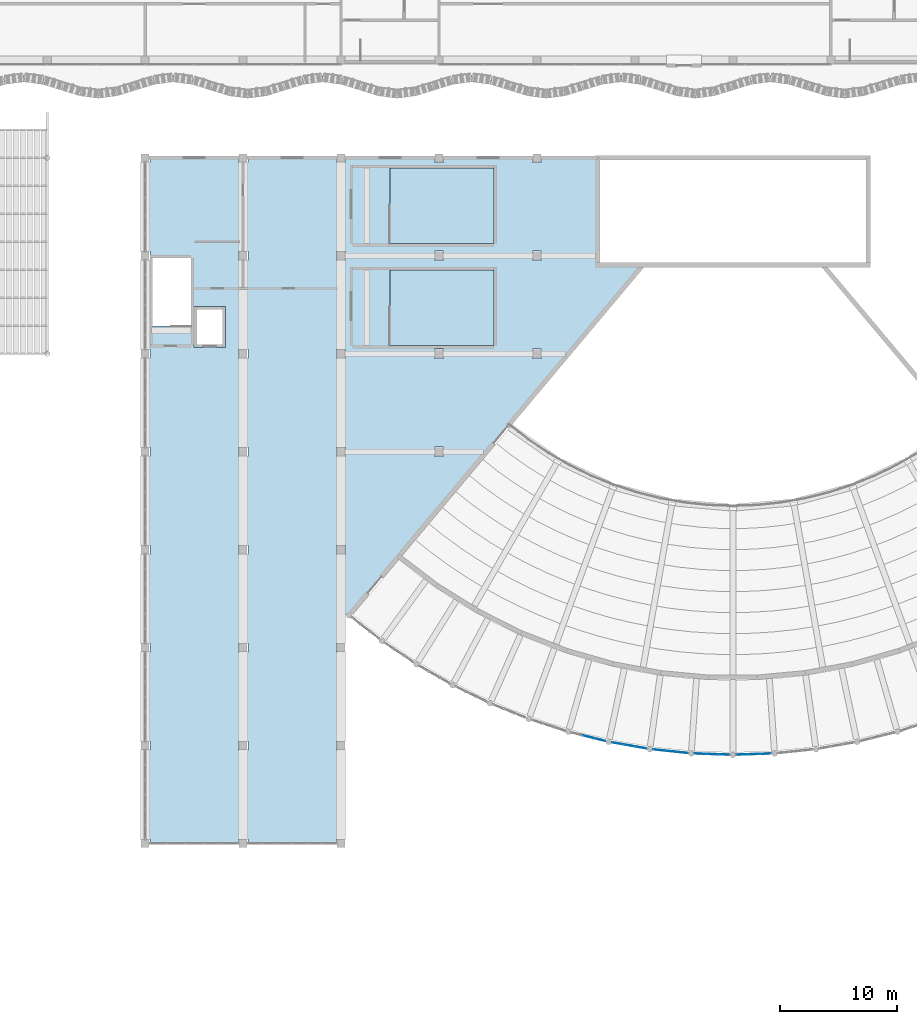
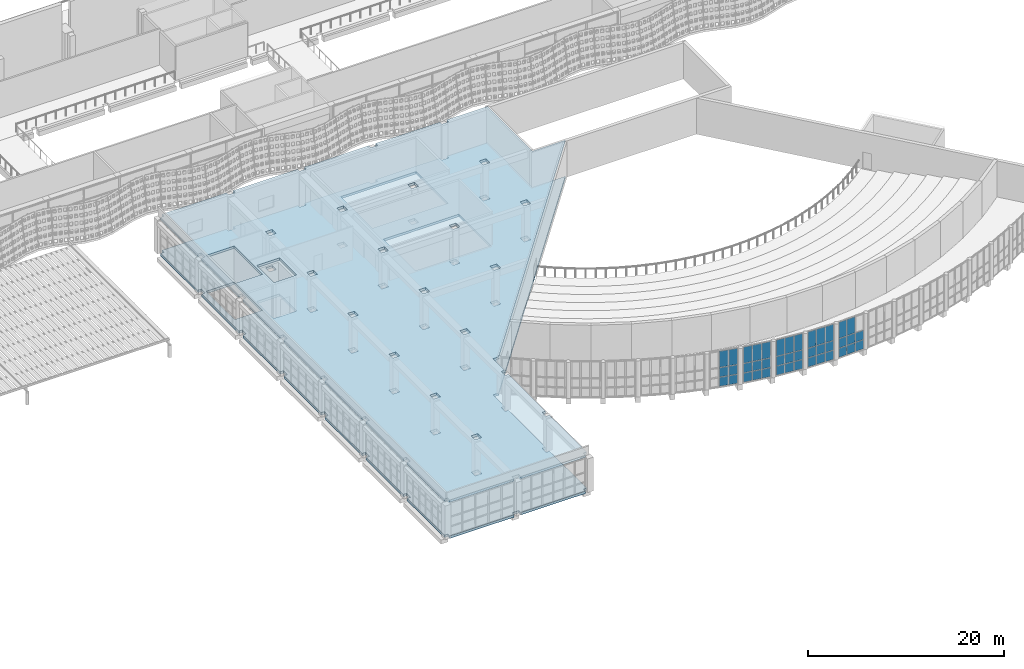
# One storey, part 70 of 162: 41 plates, 2 slabs, 5 elements without a shape of their own.
"""IFC4 building model written with IfcOpenShell, lengths in metres."""

from ifc_helpers import new_model, si_unit, direction, frame, origin, origin_2d, place, context, subcontext, project, spatial, polyline, rectangle, outline, extrude, material, layer, layer_set, type_object, element, aggregate, save


model = new_model("IFC4")

# Units and contexts
model_context = context("Model", 3, precision=1e-05, world=origin(), true_north=direction((0.0, 1.0)))
body_context = subcontext(model_context, "Body", "Model", "MODEL_VIEW")
ifc_project = project(units=[si_unit("LENGTHUNIT", "METRE"), si_unit("AREAUNIT", "SQUARE_METRE"), si_unit("VOLUMEUNIT", "CUBIC_METRE"), si_unit("PLANEANGLEUNIT", "RADIAN"), si_unit("MASSUNIT", "GRAM", prefix="KILO")], contexts=[model_context])

# Site, building, storey
site_placement = place(None, origin())
site = spatial("IfcSite", under=ifc_project, at=site_placement, CompositionType="ELEMENT")
building_placement = place(site_placement, origin())
building = spatial("IfcBuilding", under=site, at=building_placement, Name="Rain Tree Exposition and Congress Centre", CompositionType="ELEMENT")
storey_placement = place(building_placement, frame((0.0, 0.0, 6.0)))
storey = spatial("IfcBuildingStorey", under=building, at=storey_placement, Name="L01", CompositionType="ELEMENT", Elevation=6.0)

# Slab
ifc_material_1 = material(Name="Precast concrete C50/60", Category="concrete")
ifc_layer_1 = layer(ifc_material_1, 0.300048828125)
ifc_layer_set_1 = layer_set([ifc_layer_1], Name="Precast concrete C50/60")
slab_type_1 = type_object("IfcSlabType", Name="Foyer floor slab 300", PredefinedType="FLOOR", material=ifc_layer_set_1)
slab_1_placement = place(storey_placement, frame((0.0, 0.0, -0.300048828125)))
element("IfcSlab", 1, at=slab_1_placement, inside=storey, type_object=slab_type_1, Name="Foyer floor L01", PredefinedType="FLOOR", context=body_context, shape_type="SweptSolid", body=[
    extrude(outline(polyline([(160.0, 8.39990234375), (167.60009765625, 8.39990234375), (167.60009765625, 8.800048828125), (168.0, 8.800048828125), (168.0, 16.39990234375), (167.60009765625, 16.39990234375), (167.60009765625, 17.199951171875), (168.0, 17.199951171875), (168.0, 24.800048828125), (167.60009765625, 24.800048828125), (167.60009765625, 25.60009765625), (168.0, 25.60009765625), (168.0, 27.978515625), (168.689208984375, 27.978515625), (193.886474609375, 58.007568359375), (190.0, 58.010009765625), (190.0, 67.199951171875), (185.199951171875, 67.199951171875), (185.199951171875, 66.800048828125), (184.39990234375, 66.800048828125), (184.39990234375, 67.199951171875), (176.800048828125, 67.199951171875), (176.800048828125, 66.800048828125), (176.0, 66.800048828125), (176.0, 67.199951171875), (168.39990234375, 67.199951171875), (168.39990234375, 66.800048828125), (167.60009765625, 66.800048828125), (167.60009765625, 67.199951171875), (160.0, 67.199951171875), (160.0, 66.800048828125), (159.199951171875, 66.800048828125), (159.199951171875, 67.199951171875), (151.60009765625, 67.199951171875), (151.60009765625, 66.800048828125), (151.199951171875, 66.800048828125), (151.199951171875, 59.199951171875), (151.60009765625, 59.199951171875), (151.60009765625, 58.39990234375), (151.199951171875, 58.39990234375), (151.199951171875, 50.800048828125), (151.60009765625, 50.800048828125), (151.60009765625, 50.0), (151.199951171875, 50.0), (151.199951171875, 42.39990234375), (151.60009765625, 42.39990234375), (151.60009765625, 41.60009765625), (151.199951171875, 41.60009765625), (151.199951171875, 34.0), (151.60009765625, 34.0), (151.60009765625, 33.199951171875), (151.199951171875, 33.199951171875), (151.199951171875, 25.60009765625), (151.60009765625, 25.60009765625), (151.60009765625, 24.800048828125), (151.199951171875, 24.800048828125), (151.199951171875, 17.199951171875), (151.60009765625, 17.199951171875), (151.60009765625, 16.39990234375), (151.199951171875, 16.39990234375), (151.199951171875, 8.800048828125), (151.60009765625, 8.800048828125), (151.60009765625, 8.39990234375), (159.199951171875, 8.39990234375), (159.199951171875, 8.800048828125), (160.0, 8.800048828125), (160.0, 8.39990234375)]), holes=[polyline([(159.199951171875, 16.39990234375), (160.0, 16.39990234375), (160.0, 17.199951171875), (159.199951171875, 17.199951171875), (159.199951171875, 16.39990234375)]), polyline([(159.199951171875, 24.800048828125), (160.0, 24.800048828125), (160.0, 25.60009765625), (159.199951171875, 25.60009765625), (159.199951171875, 24.800048828125)]), polyline([(159.199951171875, 33.199951171875), (160.0, 33.199951171875), (160.0, 34.0), (159.199951171875, 34.0), (159.199951171875, 33.199951171875)]), polyline([(159.199951171875, 41.60009765625), (160.0, 41.60009765625), (160.0, 42.39990234375), (159.199951171875, 42.39990234375), (159.199951171875, 41.60009765625)]), polyline([(159.199951171875, 50.0), (160.0, 50.0), (160.0, 50.800048828125), (159.199951171875, 50.800048828125), (159.199951171875, 50.0)]), polyline([(155.39990234375, 54.449951171875), (155.39990234375, 50.949951171875), (158.10009765625, 50.949951171875), (158.10009765625, 54.449951171875), (155.39990234375, 54.449951171875)]), polyline([(151.85009765625, 58.60009765625), (151.85009765625, 52.800537109375), (155.14990234375, 52.800537109375), (155.14990234375, 58.60009765625), (151.85009765625, 58.60009765625)]), polyline([(159.199951171875, 59.199951171875), (159.199951171875, 58.39990234375), (160.0, 58.39990234375), (160.0, 59.199951171875), (159.199951171875, 59.199951171875)]), polyline([(167.60009765625, 33.199951171875), (168.39990234375, 33.199951171875), (168.39990234375, 34.0), (167.60009765625, 34.0), (167.60009765625, 33.199951171875)]), polyline([(167.60009765625, 41.60009765625), (168.39990234375, 41.60009765625), (168.39990234375, 42.39990234375), (167.60009765625, 42.39990234375), (167.60009765625, 41.60009765625)]), polyline([(176.0, 41.60009765625), (176.800048828125, 41.60009765625), (176.800048828125, 42.39990234375), (176.0, 42.39990234375), (176.0, 41.60009765625)]), polyline([(167.60009765625, 50.800048828125), (167.60009765625, 50.0), (168.39990234375, 50.0), (168.39990234375, 50.800048828125), (167.60009765625, 50.800048828125)]), polyline([(176.0, 50.800048828125), (176.0, 50.0), (176.800048828125, 50.0), (176.800048828125, 50.800048828125), (176.0, 50.800048828125)]), polyline([(184.39990234375, 50.0), (185.199951171875, 50.0), (185.199951171875, 50.800048828125), (184.39990234375, 50.800048828125), (184.39990234375, 50.0)]), polyline([(181.10009765625, 57.60009765625), (172.200439453125, 57.60009765625), (172.200439453125, 51.10009765625), (181.10009765625, 51.10009765625), (181.10009765625, 57.60009765625)]), polyline([(167.60009765625, 58.39990234375), (168.39990234375, 58.39990234375), (168.39990234375, 59.199951171875), (167.60009765625, 59.199951171875), (167.60009765625, 58.39990234375)]), polyline([(184.39990234375, 58.39990234375), (185.199951171875, 58.39990234375), (185.199951171875, 59.199951171875), (184.39990234375, 59.199951171875), (184.39990234375, 58.39990234375)]), polyline([(176.0, 58.39990234375), (176.800048828125, 58.39990234375), (176.800048828125, 59.199951171875), (176.0, 59.199951171875), (176.0, 58.39990234375)]), polyline([(181.10009765625, 66.35009765625), (172.200439453125, 66.35009765625), (172.200439453125, 59.85009765625), (181.10009765625, 59.85009765625), (181.10009765625, 66.35009765625)])]), origin(), (0.0, 0.0, 1.0), 0.300048828125),
])

# Curtain wall, plates
ifc_material_2 = material(Name="Aluminium", Category="aluminium")
ifc_layer_2 = layer(ifc_material_2, 0.10009765625)
ifc_layer_set_2 = layer_set([ifc_layer_2], Name="Aluminium")
curtain_wall_type = type_object("IfcCurtainWallType", Name="Curtain wall congress", PredefinedType="NOTDEFINED", material=ifc_layer_set_2)
curtain_wall_1_placement = place(storey_placement, origin())
curtain_wall_1 = element("IfcCurtainWall", 2, at=curtain_wall_1_placement, inside=storey, type_object=curtain_wall_type, Name="Curtain wall L01 bay 7", PredefinedType="NOTDEFINED")
ifc_material_3 = material(Name="Double glazed unit", Category="glass")
ifc_layer_3 = layer(ifc_material_3, 0.028076171875)
ifc_layer_set_3 = layer_set([ifc_layer_3], Name="Double glazed unit")
plate_type = type_object("IfcPlateType", Name="Glazing panel 28 congress", PredefinedType="CURTAIN_PANEL", material=ifc_layer_set_3)
plate_1_placement = place(storey_placement, frame((189.22119140625, 17.551025390625, 0.06005859375), z_axis=(0.0, 0.0, 1.0), x_axis=(0.970295408249, -0.241923171133, 0.0)))
plate_1 = element("IfcPlate", 3, at=plate_1_placement, type_object=plate_type, Name="CWG207 panel 2.1", PredefinedType="CURTAIN_PANEL", context=body_context, shape_type="SweptSolid", body=[
    extrude(rectangle(XDim=0.964599609375, YDim=0.028076171875, at=origin_2d()), origin(), (0.0, 0.0, 1.0), 1.110107421875),
])
plate_2_placement = place(storey_placement, frame((189.22119140625, 17.551025390625, 1.22998046875), z_axis=(0.0, 0.0, 1.0), x_axis=(0.970295408249, -0.241923171133, 0.0)))
plate_2 = element("IfcPlate", 4, at=plate_2_placement, type_object=plate_type, Name="CWG207 panel 2.2", PredefinedType="CURTAIN_PANEL", context=body_context, shape_type="SweptSolid", body=[
    extrude(rectangle(XDim=0.964599609375, YDim=0.028076171875, at=origin_2d()), origin(), (0.0, 0.0, 1.0), 1.139892578125),
])
plate_3_placement = place(storey_placement, frame((189.22119140625, 17.551025390625, 2.43017578125), z_axis=(0.0, 0.0, 1.0), x_axis=(0.970295408249, -0.241923171133, 0.0)))
plate_3 = element("IfcPlate", 5, at=plate_3_placement, type_object=plate_type, Name="CWG207 panel 2.3", PredefinedType="CURTAIN_PANEL", context=body_context, shape_type="SweptSolid", body=[
    extrude(rectangle(XDim=0.964599609375, YDim=0.028076171875, at=origin_2d()), origin(), (0.0, 0.0, 1.0), 2.010009765625),
])
plate_4_placement = place(storey_placement, frame((190.20068359375, 17.306884765625, 0.06005859375), z_axis=(0.0, 0.0, 1.0), x_axis=(0.970295408249, -0.241923171133, 0.0)))
plate_4 = element("IfcPlate", 6, at=plate_4_placement, type_object=plate_type, Name="CWG207 panel 3.1", PredefinedType="CURTAIN_PANEL", context=body_context, shape_type="SweptSolid", body=[
    extrude(rectangle(XDim=0.9345703125, YDim=0.028076171875, at=origin_2d()), origin(), (0.0, 0.0, 1.0), 1.110107421875),
])
plate_5_placement = place(storey_placement, frame((190.20068359375, 17.306884765625, 1.22998046875), z_axis=(0.0, 0.0, 1.0), x_axis=(0.970295408249, -0.241923171133, 0.0)))
plate_5 = element("IfcPlate", 7, at=plate_5_placement, type_object=plate_type, Name="CWG207 panel 3.2", PredefinedType="CURTAIN_PANEL", context=body_context, shape_type="SweptSolid", body=[
    extrude(rectangle(XDim=0.9345703125, YDim=0.028076171875, at=origin_2d()), origin(), (0.0, 0.0, 1.0), 1.139892578125),
])
plate_6_placement = place(storey_placement, frame((190.20068359375, 17.306884765625, 2.43017578125), z_axis=(0.0, 0.0, 1.0), x_axis=(0.970295408249, -0.241923171133, 0.0)))
plate_6 = element("IfcPlate", 8, at=plate_6_placement, type_object=plate_type, Name="CWG207 panel 3.3", PredefinedType="CURTAIN_PANEL", context=body_context, shape_type="SweptSolid", body=[
    extrude(rectangle(XDim=0.9345703125, YDim=0.028076171875, at=origin_2d()), origin(), (0.0, 0.0, 1.0), 2.010009765625),
])
aggregate(curtain_wall_1, [plate_1, plate_2, plate_3, plate_4, plate_5, plate_6])

curtain_wall_2_placement = place(storey_placement, origin())
curtain_wall_2 = element("IfcCurtainWall", 9, at=curtain_wall_2_placement, inside=storey, type_object=curtain_wall_type, Name="Curtain wall L01 bay 8", PredefinedType="NOTDEFINED")
plate_7_placement = place(storey_placement, frame((191.720458984375, 16.98388671875, 0.06005859375), z_axis=(0.0, 0.0, 1.0), x_axis=(0.984810076905, -0.173634997701, 0.0)))
plate_7 = element("IfcPlate", 10, at=plate_7_placement, type_object=plate_type, Name="CWG208 panel 1.1", PredefinedType="CURTAIN_PANEL", context=body_context, shape_type="SweptSolid", body=[
    extrude(rectangle(XDim=0.9345703125, YDim=0.028076171875, at=origin_2d()), origin(), (0.0, 0.0, 1.0), 1.110107421875),
])
plate_8_placement = place(storey_placement, frame((191.720458984375, 16.98388671875, 1.22998046875), z_axis=(0.0, 0.0, 1.0), x_axis=(0.984810076905, -0.173634997701, 0.0)))
plate_8 = element("IfcPlate", 11, at=plate_8_placement, type_object=plate_type, Name="CWG208 panel 1.2", PredefinedType="CURTAIN_PANEL", context=body_context, shape_type="SweptSolid", body=[
    extrude(rectangle(XDim=0.9345703125, YDim=0.028076171875, at=origin_2d()), origin(), (0.0, 0.0, 1.0), 1.139892578125),
])
plate_9_placement = place(storey_placement, frame((191.720458984375, 16.98388671875, 2.43017578125), z_axis=(0.0, 0.0, 1.0), x_axis=(0.984810076905, -0.173634997701, 0.0)))
plate_9 = element("IfcPlate", 12, at=plate_9_placement, type_object=plate_type, Name="CWG208 panel 1.3", PredefinedType="CURTAIN_PANEL", context=body_context, shape_type="SweptSolid", body=[
    extrude(rectangle(XDim=0.9345703125, YDim=0.028076171875, at=origin_2d()), origin(), (0.0, 0.0, 1.0), 2.010009765625),
])
plate_10_placement = place(storey_placement, frame((192.714599609375, 16.80859375, 0.06005859375), z_axis=(0.0, 0.0, 1.0), x_axis=(0.984810076905, -0.173634997701, 0.0)))
plate_10 = element("IfcPlate", 13, at=plate_10_placement, type_object=plate_type, Name="CWG208 panel 2.1", PredefinedType="CURTAIN_PANEL", context=body_context, shape_type="SweptSolid", body=[
    extrude(rectangle(XDim=0.964599609375, YDim=0.028076171875, at=origin_2d()), origin(), (0.0, 0.0, 1.0), 1.110107421875),
])
plate_11_placement = place(storey_placement, frame((192.714599609375, 16.80859375, 1.22998046875), z_axis=(0.0, 0.0, 1.0), x_axis=(0.984810076905, -0.173634997701, 0.0)))
plate_11 = element("IfcPlate", 14, at=plate_11_placement, type_object=plate_type, Name="CWG208 panel 2.2", PredefinedType="CURTAIN_PANEL", context=body_context, shape_type="SweptSolid", body=[
    extrude(rectangle(XDim=0.964599609375, YDim=0.028076171875, at=origin_2d()), origin(), (0.0, 0.0, 1.0), 1.139892578125),
])
plate_12_placement = place(storey_placement, frame((192.714599609375, 16.80859375, 2.43017578125), z_axis=(0.0, 0.0, 1.0), x_axis=(0.984810076905, -0.173634997701, 0.0)))
plate_12 = element("IfcPlate", 15, at=plate_12_placement, type_object=plate_type, Name="CWG208 panel 2.3", PredefinedType="CURTAIN_PANEL", context=body_context, shape_type="SweptSolid", body=[
    extrude(rectangle(XDim=0.964599609375, YDim=0.028076171875, at=origin_2d()), origin(), (0.0, 0.0, 1.0), 2.010009765625),
])
plate_13_placement = place(storey_placement, frame((193.708740234375, 16.63330078125, 0.06005859375), z_axis=(0.0, 0.0, 1.0), x_axis=(0.984810076905, -0.173634997701, 0.0)))
plate_13 = element("IfcPlate", 16, at=plate_13_placement, type_object=plate_type, Name="CWG208 panel 3.1", PredefinedType="CURTAIN_PANEL", context=body_context, shape_type="SweptSolid", body=[
    extrude(rectangle(XDim=0.9345703125, YDim=0.028076171875, at=origin_2d()), origin(), (0.0, 0.0, 1.0), 1.110107421875),
])
plate_14_placement = place(storey_placement, frame((193.708740234375, 16.63330078125, 1.22998046875), z_axis=(0.0, 0.0, 1.0), x_axis=(0.984810076905, -0.173634997701, 0.0)))
plate_14 = element("IfcPlate", 17, at=plate_14_placement, type_object=plate_type, Name="CWG208 panel 3.2", PredefinedType="CURTAIN_PANEL", context=body_context, shape_type="SweptSolid", body=[
    extrude(rectangle(XDim=0.9345703125, YDim=0.028076171875, at=origin_2d()), origin(), (0.0, 0.0, 1.0), 1.139892578125),
])
plate_15_placement = place(storey_placement, frame((193.708740234375, 16.63330078125, 2.43017578125), z_axis=(0.0, 0.0, 1.0), x_axis=(0.984810076905, -0.173634997701, 0.0)))
plate_15 = element("IfcPlate", 18, at=plate_15_placement, type_object=plate_type, Name="CWG208 panel 3.3", PredefinedType="CURTAIN_PANEL", context=body_context, shape_type="SweptSolid", body=[
    extrude(rectangle(XDim=0.9345703125, YDim=0.028076171875, at=origin_2d()), origin(), (0.0, 0.0, 1.0), 2.010009765625),
])
aggregate(curtain_wall_2, [plate_7, plate_8, plate_9, plate_10, plate_11, plate_12, plate_13, plate_14, plate_15])

curtain_wall_3_placement = place(storey_placement, origin())
curtain_wall_3 = element("IfcCurtainWall", 19, at=curtain_wall_3_placement, inside=storey, type_object=curtain_wall_type, Name="Curtain wall L01 bay 9", PredefinedType="NOTDEFINED")
plate_16_placement = place(storey_placement, frame((195.247314453125, 16.4169921875, 0.06005859375), z_axis=(0.0, 0.0, 1.0), x_axis=(0.994524689589, -0.104501874612, 0.0)))
plate_16 = element("IfcPlate", 20, at=plate_16_placement, type_object=plate_type, Name="CWG209 panel 1.1", PredefinedType="CURTAIN_PANEL", context=body_context, shape_type="SweptSolid", body=[
    extrude(rectangle(XDim=0.9345703125, YDim=0.028076171875, at=origin_2d()), origin(), (0.0, 0.0, 1.0), 1.110107421875),
])
plate_17_placement = place(storey_placement, frame((195.247314453125, 16.4169921875, 1.22998046875), z_axis=(0.0, 0.0, 1.0), x_axis=(0.994524689589, -0.104501874612, 0.0)))
plate_17 = element("IfcPlate", 21, at=plate_17_placement, type_object=plate_type, Name="CWG209 panel 1.2", PredefinedType="CURTAIN_PANEL", context=body_context, shape_type="SweptSolid", body=[
    extrude(rectangle(XDim=0.9345703125, YDim=0.028076171875, at=origin_2d()), origin(), (0.0, 0.0, 1.0), 1.139892578125),
])
plate_18_placement = place(storey_placement, frame((195.247314453125, 16.4169921875, 2.43017578125), z_axis=(0.0, 0.0, 1.0), x_axis=(0.994524689589, -0.104501874612, 0.0)))
plate_18 = element("IfcPlate", 22, at=plate_18_placement, type_object=plate_type, Name="CWG209 panel 1.3", PredefinedType="CURTAIN_PANEL", context=body_context, shape_type="SweptSolid", body=[
    extrude(rectangle(XDim=0.9345703125, YDim=0.028076171875, at=origin_2d()), origin(), (0.0, 0.0, 1.0), 2.010009765625),
])
plate_19_placement = place(storey_placement, frame((196.25146484375, 16.3115234375, 0.06005859375), z_axis=(0.0, 0.0, 1.0), x_axis=(0.994524689589, -0.104501874612, 0.0)))
plate_19 = element("IfcPlate", 23, at=plate_19_placement, type_object=plate_type, Name="CWG209 panel 2.1", PredefinedType="CURTAIN_PANEL", context=body_context, shape_type="SweptSolid", body=[
    extrude(rectangle(XDim=0.964599609375, YDim=0.028076171875, at=origin_2d()), origin(), (0.0, 0.0, 1.0), 1.110107421875),
])
plate_20_placement = place(storey_placement, frame((196.25146484375, 16.3115234375, 1.22998046875), z_axis=(0.0, 0.0, 1.0), x_axis=(0.994524689589, -0.104501874612, 0.0)))
plate_20 = element("IfcPlate", 24, at=plate_20_placement, type_object=plate_type, Name="CWG209 panel 2.2", PredefinedType="CURTAIN_PANEL", context=body_context, shape_type="SweptSolid", body=[
    extrude(rectangle(XDim=0.964599609375, YDim=0.028076171875, at=origin_2d()), origin(), (0.0, 0.0, 1.0), 1.139892578125),
])
plate_21_placement = place(storey_placement, frame((196.25146484375, 16.3115234375, 2.43017578125), z_axis=(0.0, 0.0, 1.0), x_axis=(0.994524689589, -0.104501874612, 0.0)))
plate_21 = element("IfcPlate", 25, at=plate_21_placement, type_object=plate_type, Name="CWG209 panel 2.3", PredefinedType="CURTAIN_PANEL", context=body_context, shape_type="SweptSolid", body=[
    extrude(rectangle(XDim=0.964599609375, YDim=0.028076171875, at=origin_2d()), origin(), (0.0, 0.0, 1.0), 2.010009765625),
])
plate_22_placement = place(storey_placement, frame((197.25537109375, 16.2060546875, 0.06005859375), z_axis=(0.0, 0.0, 1.0), x_axis=(0.994524689589, -0.104501874612, 0.0)))
plate_22 = element("IfcPlate", 26, at=plate_22_placement, type_object=plate_type, Name="CWG209 panel 3.1", PredefinedType="CURTAIN_PANEL", context=body_context, shape_type="SweptSolid", body=[
    extrude(rectangle(XDim=0.9345703125, YDim=0.028076171875, at=origin_2d()), origin(), (0.0, 0.0, 1.0), 1.110107421875),
])
plate_23_placement = place(storey_placement, frame((197.25537109375, 16.2060546875, 1.22998046875), z_axis=(0.0, 0.0, 1.0), x_axis=(0.994524689589, -0.104501874612, 0.0)))
plate_23 = element("IfcPlate", 27, at=plate_23_placement, type_object=plate_type, Name="CWG209 panel 3.2", PredefinedType="CURTAIN_PANEL", context=body_context, shape_type="SweptSolid", body=[
    extrude(rectangle(XDim=0.9345703125, YDim=0.028076171875, at=origin_2d()), origin(), (0.0, 0.0, 1.0), 1.139892578125),
])
plate_24_placement = place(storey_placement, frame((197.25537109375, 16.2060546875, 2.43017578125), z_axis=(0.0, 0.0, 1.0), x_axis=(0.994524689589, -0.104501874612, 0.0)))
plate_24 = element("IfcPlate", 28, at=plate_24_placement, type_object=plate_type, Name="CWG209 panel 3.3", PredefinedType="CURTAIN_PANEL", context=body_context, shape_type="SweptSolid", body=[
    extrude(rectangle(XDim=0.9345703125, YDim=0.028076171875, at=origin_2d()), origin(), (0.0, 0.0, 1.0), 2.010009765625),
])
aggregate(curtain_wall_3, [plate_16, plate_17, plate_18, plate_19, plate_20, plate_21, plate_22, plate_23, plate_24])

curtain_wall_4_placement = place(storey_placement, origin())
curtain_wall_4 = element("IfcCurtainWall", 29, at=curtain_wall_4_placement, inside=storey, type_object=curtain_wall_type, Name="Curtain wall L01 bay 10", PredefinedType="NOTDEFINED")
plate_25_placement = place(storey_placement, frame((198.80517578125, 16.09765625, 0.06005859375), z_axis=(0.0, 0.0, 1.0), x_axis=(0.99939052188, -0.03490823366, 0.0)))
plate_25 = element("IfcPlate", 30, at=plate_25_placement, type_object=plate_type, Name="CWG210 panel 1.1", PredefinedType="CURTAIN_PANEL", context=body_context, shape_type="SweptSolid", body=[
    extrude(rectangle(XDim=0.9345703125, YDim=0.028076171875, at=origin_2d()), origin(), (0.0, 0.0, 1.0), 1.110107421875),
])
plate_26_placement = place(storey_placement, frame((198.80517578125, 16.09765625, 1.22998046875), z_axis=(0.0, 0.0, 1.0), x_axis=(0.99939052188, -0.03490823366, 0.0)))
plate_26 = element("IfcPlate", 31, at=plate_26_placement, type_object=plate_type, Name="CWG210 panel 1.2", PredefinedType="CURTAIN_PANEL", context=body_context, shape_type="SweptSolid", body=[
    extrude(rectangle(XDim=0.9345703125, YDim=0.028076171875, at=origin_2d()), origin(), (0.0, 0.0, 1.0), 1.139892578125),
])
plate_27_placement = place(storey_placement, frame((198.80517578125, 16.09765625, 2.43017578125), z_axis=(0.0, 0.0, 1.0), x_axis=(0.99939052188, -0.03490823366, 0.0)))
plate_27 = element("IfcPlate", 32, at=plate_27_placement, type_object=plate_type, Name="CWG210 panel 1.3", PredefinedType="CURTAIN_PANEL", context=body_context, shape_type="SweptSolid", body=[
    extrude(rectangle(XDim=0.9345703125, YDim=0.028076171875, at=origin_2d()), origin(), (0.0, 0.0, 1.0), 2.010009765625),
])
plate_28_placement = place(storey_placement, frame((199.814208984375, 16.062255859375, 0.06005859375), z_axis=(0.0, 0.0, 1.0), x_axis=(0.99939052188, -0.03490823366, 0.0)))
plate_28 = element("IfcPlate", 33, at=plate_28_placement, type_object=plate_type, Name="CWG210 panel 2.1", PredefinedType="CURTAIN_PANEL", context=body_context, shape_type="SweptSolid", body=[
    extrude(rectangle(XDim=0.964599609375, YDim=0.028076171875, at=origin_2d()), origin(), (0.0, 0.0, 1.0), 1.110107421875),
])
plate_29_placement = place(storey_placement, frame((199.814208984375, 16.062255859375, 1.22998046875), z_axis=(0.0, 0.0, 1.0), x_axis=(0.99939052188, -0.03490823366, 0.0)))
plate_29 = element("IfcPlate", 34, at=plate_29_placement, type_object=plate_type, Name="CWG210 panel 2.2", PredefinedType="CURTAIN_PANEL", context=body_context, shape_type="SweptSolid", body=[
    extrude(rectangle(XDim=0.964599609375, YDim=0.028076171875, at=origin_2d()), origin(), (0.0, 0.0, 1.0), 1.139892578125),
])
plate_30_placement = place(storey_placement, frame((199.814208984375, 16.062255859375, 2.43017578125), z_axis=(0.0, 0.0, 1.0), x_axis=(0.99939052188, -0.03490823366, 0.0)))
plate_30 = element("IfcPlate", 35, at=plate_30_placement, type_object=plate_type, Name="CWG210 panel 2.3", PredefinedType="CURTAIN_PANEL", context=body_context, shape_type="SweptSolid", body=[
    extrude(rectangle(XDim=0.964599609375, YDim=0.028076171875, at=origin_2d()), origin(), (0.0, 0.0, 1.0), 2.010009765625),
])
plate_31_placement = place(storey_placement, frame((200.8232421875, 16.027099609375, 0.06005859375), z_axis=(0.0, 0.0, 1.0), x_axis=(0.99939052188, -0.03490823366, 0.0)))
plate_31 = element("IfcPlate", 36, at=plate_31_placement, type_object=plate_type, Name="CWG210 panel 3.1", PredefinedType="CURTAIN_PANEL", context=body_context, shape_type="SweptSolid", body=[
    extrude(rectangle(XDim=0.9345703125, YDim=0.028076171875, at=origin_2d()), origin(), (0.0, 0.0, 1.0), 1.110107421875),
])
plate_32_placement = place(storey_placement, frame((200.8232421875, 16.027099609375, 1.22998046875), z_axis=(0.0, 0.0, 1.0), x_axis=(0.99939052188, -0.03490823366, 0.0)))
plate_32 = element("IfcPlate", 37, at=plate_32_placement, type_object=plate_type, Name="CWG210 panel 3.2", PredefinedType="CURTAIN_PANEL", context=body_context, shape_type="SweptSolid", body=[
    extrude(rectangle(XDim=0.9345703125, YDim=0.028076171875, at=origin_2d()), origin(), (0.0, 0.0, 1.0), 1.139892578125),
])
plate_33_placement = place(storey_placement, frame((200.8232421875, 16.027099609375, 2.43017578125), z_axis=(0.0, 0.0, 1.0), x_axis=(0.99939052188, -0.03490823366, 0.0)))
plate_33 = element("IfcPlate", 38, at=plate_33_placement, type_object=plate_type, Name="CWG210 panel 3.3", PredefinedType="CURTAIN_PANEL", context=body_context, shape_type="SweptSolid", body=[
    extrude(rectangle(XDim=0.9345703125, YDim=0.028076171875, at=origin_2d()), origin(), (0.0, 0.0, 1.0), 2.010009765625),
])
aggregate(curtain_wall_4, [plate_25, plate_26, plate_27, plate_28, plate_29, plate_30, plate_31, plate_32, plate_33])

curtain_wall_5_placement = place(storey_placement, origin())
curtain_wall_5 = element("IfcCurtainWall", 39, at=curtain_wall_5_placement, inside=storey, type_object=curtain_wall_type, Name="Curtain wall L01 bay 11", PredefinedType="NOTDEFINED")
plate_34_placement = place(storey_placement, frame((202.376708984375, 16.027099609375, 0.06005859375), z_axis=(0.0, 0.0, 1.0), x_axis=(0.99939052188, 0.03490823366, 0.0)))
plate_34 = element("IfcPlate", 40, at=plate_34_placement, type_object=plate_type, Name="CWG211 panel 1.1", PredefinedType="CURTAIN_PANEL", context=body_context, shape_type="SweptSolid", body=[
    extrude(rectangle(XDim=0.9345703125, YDim=0.028076171875, at=origin_2d()), origin(), (0.0, 0.0, 1.0), 1.110107421875),
])
plate_35_placement = place(storey_placement, frame((202.376708984375, 16.027099609375, 1.22998046875), z_axis=(0.0, 0.0, 1.0), x_axis=(0.99939052188, 0.03490823366, 0.0)))
plate_35 = element("IfcPlate", 41, at=plate_35_placement, type_object=plate_type, Name="CWG211 panel 1.2", PredefinedType="CURTAIN_PANEL", context=body_context, shape_type="SweptSolid", body=[
    extrude(rectangle(XDim=0.9345703125, YDim=0.028076171875, at=origin_2d()), origin(), (0.0, 0.0, 1.0), 1.139892578125),
])
plate_36_placement = place(storey_placement, frame((202.376708984375, 16.027099609375, 2.43017578125), z_axis=(0.0, 0.0, 1.0), x_axis=(0.99939052188, 0.03490823366, 0.0)))
plate_36 = element("IfcPlate", 42, at=plate_36_placement, type_object=plate_type, Name="CWG211 panel 1.3", PredefinedType="CURTAIN_PANEL", context=body_context, shape_type="SweptSolid", body=[
    extrude(rectangle(XDim=0.9345703125, YDim=0.028076171875, at=origin_2d()), origin(), (0.0, 0.0, 1.0), 2.010009765625),
])
plate_37_placement = place(storey_placement, frame((203.3857421875, 16.062255859375, 0.06005859375), z_axis=(0.0, 0.0, 1.0), x_axis=(0.99939052188, 0.03490823366, 0.0)))
plate_37 = element("IfcPlate", 43, at=plate_37_placement, type_object=plate_type, Name="CWG211 panel 2.1", PredefinedType="CURTAIN_PANEL", context=body_context, shape_type="SweptSolid", body=[
    extrude(rectangle(XDim=0.964599609375, YDim=0.028076171875, at=origin_2d()), origin(), (0.0, 0.0, 1.0), 1.110107421875),
])
plate_38_placement = place(storey_placement, frame((203.3857421875, 16.062255859375, 1.22998046875), z_axis=(0.0, 0.0, 1.0), x_axis=(0.99939052188, 0.03490823366, 0.0)))
plate_38 = element("IfcPlate", 44, at=plate_38_placement, type_object=plate_type, Name="CWG211 panel 2.2", PredefinedType="CURTAIN_PANEL", context=body_context, shape_type="SweptSolid", body=[
    extrude(rectangle(XDim=0.964599609375, YDim=0.028076171875, at=origin_2d()), origin(), (0.0, 0.0, 1.0), 1.139892578125),
])
plate_39_placement = place(storey_placement, frame((203.3857421875, 16.062255859375, 2.43017578125), z_axis=(0.0, 0.0, 1.0), x_axis=(0.99939052188, 0.03490823366, 0.0)))
plate_39 = element("IfcPlate", 45, at=plate_39_placement, type_object=plate_type, Name="CWG211 panel 2.3", PredefinedType="CURTAIN_PANEL", context=body_context, shape_type="SweptSolid", body=[
    extrude(rectangle(XDim=0.964599609375, YDim=0.028076171875, at=origin_2d()), origin(), (0.0, 0.0, 1.0), 2.010009765625),
])
plate_40_placement = place(storey_placement, frame((204.394775390625, 16.09765625, 0.06005859375), z_axis=(0.0, 0.0, 1.0), x_axis=(0.99939052188, 0.03490823366, 0.0)))
plate_40 = element("IfcPlate", 46, at=plate_40_placement, type_object=plate_type, Name="CWG211 panel 3.1", PredefinedType="CURTAIN_PANEL", context=body_context, shape_type="SweptSolid", body=[
    extrude(rectangle(XDim=0.9345703125, YDim=0.028076171875, at=origin_2d()), origin(), (0.0, 0.0, 1.0), 1.110107421875),
])
plate_41_placement = place(storey_placement, frame((204.394775390625, 16.09765625, 1.22998046875), z_axis=(0.0, 0.0, 1.0), x_axis=(0.99939052188, 0.03490823366, 0.0)))
plate_41 = element("IfcPlate", 47, at=plate_41_placement, type_object=plate_type, Name="CWG211 panel 3.2", PredefinedType="CURTAIN_PANEL", context=body_context, shape_type="SweptSolid", body=[
    extrude(rectangle(XDim=0.9345703125, YDim=0.028076171875, at=origin_2d()), origin(), (0.0, 0.0, 1.0), 1.139892578125),
])
aggregate(curtain_wall_5, [plate_34, plate_35, plate_36, plate_37, plate_38, plate_39, plate_40, plate_41])

# Slab
ifc_material_4 = material(Name="Precast concrete C50/60", Category="concrete")
ifc_layer_4 = layer(ifc_material_4, 0.300048828125)
ifc_layer_set_4 = layer_set([ifc_layer_4], Name="Precast concrete C50/60")
slab_type_2 = type_object("IfcSlabType", Name="Roof slab 300 congress", PredefinedType="ROOF", material=ifc_layer_set_4)
slab_2_placement = place(storey_placement, frame((0.0, 0.0, 4.199951171875)))
element("IfcSlab", 48, at=slab_2_placement, inside=storey, type_object=slab_type_2, Name="Foyer roof", PredefinedType="ROOF", context=body_context, shape_type="SweptSolid", body=[
    extrude(outline(polyline([(160.0, 8.39990234375), (167.60009765625, 8.39990234375), (167.60009765625, 8.800048828125), (168.0, 8.800048828125), (168.0, 16.39990234375), (167.60009765625, 16.39990234375), (167.60009765625, 17.199951171875), (168.0, 17.199951171875), (168.0, 24.800048828125), (167.60009765625, 24.800048828125), (167.60009765625, 25.60009765625), (168.0, 25.60009765625), (168.0, 27.978515625), (168.689208984375, 27.978515625), (193.886474609375, 58.007568359375), (190.0, 58.010009765625), (190.0, 67.199951171875), (185.199951171875, 67.199951171875), (185.199951171875, 66.800048828125), (184.39990234375, 66.800048828125), (184.39990234375, 67.199951171875), (176.800048828125, 67.199951171875), (176.800048828125, 66.800048828125), (176.0, 66.800048828125), (176.0, 67.199951171875), (168.39990234375, 67.199951171875), (168.39990234375, 66.800048828125), (167.60009765625, 66.800048828125), (167.60009765625, 67.199951171875), (160.0, 67.199951171875), (160.0, 66.800048828125), (159.199951171875, 66.800048828125), (159.199951171875, 67.199951171875), (151.60009765625, 67.199951171875), (151.60009765625, 66.800048828125), (151.199951171875, 66.800048828125), (151.199951171875, 59.199951171875), (151.60009765625, 59.199951171875), (151.60009765625, 58.39990234375), (151.199951171875, 58.39990234375), (151.199951171875, 50.800048828125), (151.60009765625, 50.800048828125), (151.60009765625, 50.0), (151.199951171875, 50.0), (151.199951171875, 42.39990234375), (151.60009765625, 42.39990234375), (151.60009765625, 41.60009765625), (151.199951171875, 41.60009765625), (151.199951171875, 34.0), (151.60009765625, 34.0), (151.60009765625, 33.199951171875), (151.199951171875, 33.199951171875), (151.199951171875, 25.60009765625), (151.60009765625, 25.60009765625), (151.60009765625, 24.800048828125), (151.199951171875, 24.800048828125), (151.199951171875, 17.199951171875), (151.60009765625, 17.199951171875), (151.60009765625, 16.39990234375), (151.199951171875, 16.39990234375), (151.199951171875, 8.800048828125), (151.60009765625, 8.800048828125), (151.60009765625, 8.39990234375), (159.199951171875, 8.39990234375), (159.199951171875, 8.800048828125), (160.0, 8.800048828125), (160.0, 8.39990234375)]), holes=[polyline([(160.0, 16.39990234375), (160.0, 17.199951171875), (159.199951171875, 17.199951171875), (159.199951171875, 16.39990234375), (160.0, 16.39990234375)]), polyline([(160.0, 24.800048828125), (160.0, 25.60009765625), (159.199951171875, 25.60009765625), (159.199951171875, 24.800048828125), (160.0, 24.800048828125)]), polyline([(160.0, 41.60009765625), (160.0, 42.39990234375), (159.199951171875, 42.39990234375), (159.199951171875, 41.60009765625), (160.0, 41.60009765625)]), polyline([(160.0, 50.0), (160.0, 50.800048828125), (159.199951171875, 50.800048828125), (159.199951171875, 50.0), (160.0, 50.0)]), polyline([(155.39990234375, 50.949951171875), (158.10009765625, 50.949951171875), (158.10009765625, 54.449951171875), (155.39990234375, 54.449951171875), (155.39990234375, 50.949951171875)]), polyline([(151.85009765625, 52.800537109375), (155.14990234375, 52.800537109375), (155.14990234375, 58.60009765625), (151.85009765625, 58.60009765625), (151.85009765625, 52.800537109375)]), polyline([(160.0, 58.39990234375), (160.0, 59.199951171875), (159.199951171875, 59.199951171875), (159.199951171875, 58.39990234375), (160.0, 58.39990234375)]), polyline([(160.0, 33.199951171875), (160.0, 34.0), (159.199951171875, 34.0), (159.199951171875, 33.199951171875), (160.0, 33.199951171875)]), polyline([(168.39990234375, 33.199951171875), (168.39990234375, 34.0), (167.60009765625, 34.0), (167.60009765625, 33.199951171875), (168.39990234375, 33.199951171875)]), polyline([(168.39990234375, 41.60009765625), (168.39990234375, 42.39990234375), (167.60009765625, 42.39990234375), (167.60009765625, 41.60009765625), (168.39990234375, 41.60009765625)]), polyline([(176.800048828125, 41.60009765625), (176.800048828125, 42.39990234375), (176.0, 42.39990234375), (176.0, 41.60009765625), (176.800048828125, 41.60009765625)]), polyline([(168.39990234375, 50.0), (168.39990234375, 50.800048828125), (167.60009765625, 50.800048828125), (167.60009765625, 50.0), (168.39990234375, 50.0)]), polyline([(176.800048828125, 50.0), (176.800048828125, 50.800048828125), (176.0, 50.800048828125), (176.0, 50.0), (176.800048828125, 50.0)]), polyline([(185.199951171875, 50.0), (185.199951171875, 50.800048828125), (184.39990234375, 50.800048828125), (184.39990234375, 50.0), (185.199951171875, 50.0)]), polyline([(168.39990234375, 58.39990234375), (168.39990234375, 59.199951171875), (167.60009765625, 59.199951171875), (167.60009765625, 58.39990234375), (168.39990234375, 58.39990234375)]), polyline([(176.800048828125, 58.39990234375), (176.800048828125, 59.199951171875), (176.0, 59.199951171875), (176.0, 58.39990234375), (176.800048828125, 58.39990234375)]), polyline([(185.199951171875, 58.39990234375), (185.199951171875, 59.199951171875), (184.39990234375, 59.199951171875), (184.39990234375, 58.39990234375), (185.199951171875, 58.39990234375)])]), origin(), (0.0, 0.0, 1.0), 0.300048828125),
])

save(model, "model.ifc")
